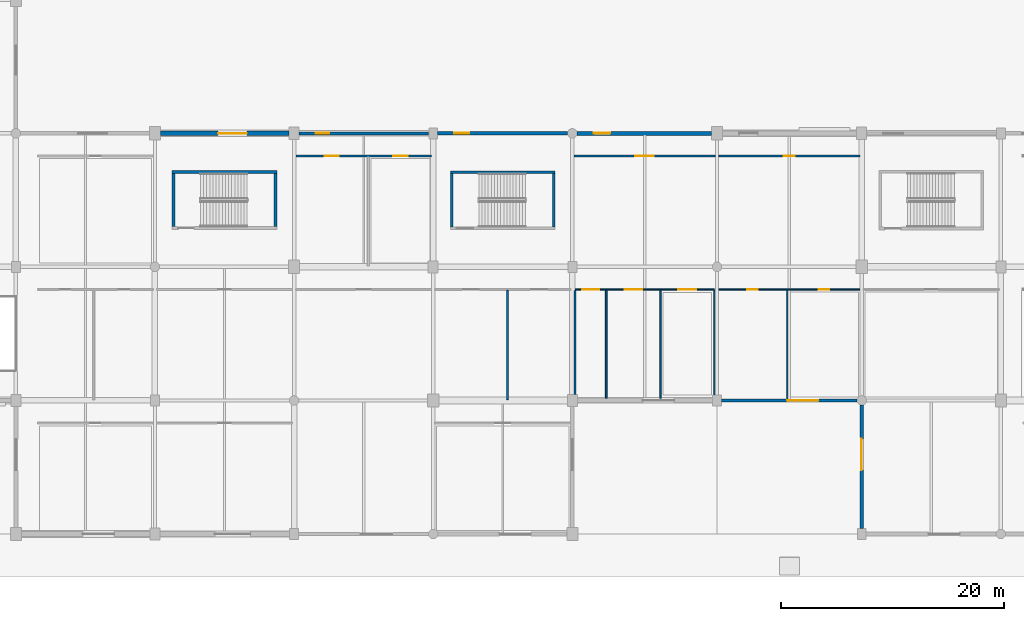
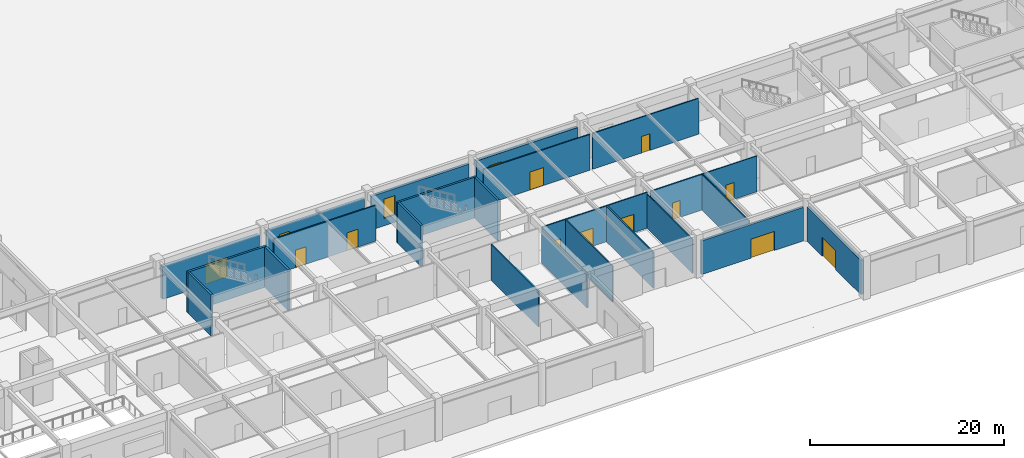
# One storey, part 17 of 69: 23 walls, 12 doors, 3 windows, 15 openings.
"""IFC4 building model written with IfcOpenShell, lengths in metres."""

from ifc_helpers import new_model, si_unit, direction, frame, frame_2d, origin, place, context, subcontext, project, spatial, rectangle, extrude, material, layer, layer_set, type_object, element, fill, save


model = new_model("IFC4")

# Units and contexts
model_context = context("Model", 3, precision=1e-05, world=origin(), true_north=direction((0.0, 1.0)))
body_context = subcontext(model_context, "Body", "Model", "MODEL_VIEW")
ifc_project = project(units=[si_unit("LENGTHUNIT", "METRE"), si_unit("AREAUNIT", "SQUARE_METRE"), si_unit("VOLUMEUNIT", "CUBIC_METRE"), si_unit("PLANEANGLEUNIT", "RADIAN"), si_unit("MASSUNIT", "GRAM", prefix="KILO")], contexts=[model_context])

# Site, building, storey
site_placement = place(None, origin())
site = spatial("IfcSite", under=ifc_project, at=site_placement, CompositionType="ELEMENT")
building_placement = place(site_placement, origin())
building = spatial("IfcBuilding", under=site, at=building_placement, Name="Kazenohara Klinker Stadium", CompositionType="ELEMENT")
storey_placement = place(building_placement, origin())
storey = spatial("IfcBuildingStorey", under=building, at=storey_placement, Name="L00", CompositionType="ELEMENT", Elevation=0.0)

# Walls
ifc_material_1 = material(Name="Concrete C40/50", Category="concrete")
ifc_layer_1 = layer(ifc_material_1, 0.22998046875)
ifc_layer_set_1 = layer_set([ifc_layer_1], Name="Concrete C40/50")
wall_type_1 = type_object("IfcWallType", Name="WAL-CORE-230", PredefinedType="SHEAR", material=ifc_layer_set_1)
wall_1_placement = place(storey_placement, frame((88.070068359375, 32.514892578125, 0.0), z_axis=(0.0, 0.0, 1.0), x_axis=(1.0, 0.0, 0.0)))
element("IfcWall", 1, at=wall_1_placement, inside=storey, type_object=wall_type_1, Name="Stairwell shear wall ST26 L00 North", PredefinedType="SHEAR", context=body_context, shape_type="SweptSolid", body=[
    extrude(rectangle(XDim=9.35986328125, YDim=0.22998046875, at=frame_2d((4.679931640625, 0.0))), origin(), (0.0, 0.0, 1.0), 5.139892578125),
])
for number, where, z_axis, x_axis, name in (
    (2, (88.18505859375, 27.60009765625, 0.0), (0.0, 0.0, 1.0), (0.0, 1.0, 0.0), "Stairwell shear wall ST26 L00 West"),
    (3, (97.31494140625, 27.60009765625, 0.0), (0.0, 0.0, 1.0), (0.0, 1.0, 0.0), "Stairwell shear wall ST26 L00 East"),
):
    element("IfcWall", number, at=place(storey_placement, frame(where, z_axis=z_axis, x_axis=x_axis)), inside=storey, type_object=wall_type_1, Name=name, PredefinedType="SHEAR", context=body_context, shape_type="SweptSolid", body=[
        extrude(rectangle(XDim=4.7998046875, YDim=0.22998046875, at=frame_2d((2.39990234375, 0.0))), origin(), (0.0, 0.0, 1.0), 5.139892578125),
    ])
ifc_layer_2 = layer(ifc_material_1, 0.25)
ifc_layer_set_2 = layer_set([ifc_layer_2], Name="Concrete C40/50")
wall_type_2 = type_object("IfcWallType", Name="WAL-CORE-250", PredefinedType="SHEAR", material=ifc_layer_set_2)
wall_2_placement = place(storey_placement, frame((63.050048828125, 32.514892578125, 0.0), z_axis=(0.0, 0.0, 1.0), x_axis=(1.0, 0.0, 0.0)))
element("IfcWall", 4, at=wall_2_placement, inside=storey, type_object=wall_type_2, Name="Stairwell shear wall ST25 L00 North", PredefinedType="SHEAR", context=body_context, shape_type="SweptSolid", body=[
    extrude(rectangle(XDim=9.39990234375, YDim=0.25, at=frame_2d((4.699951171875, 0.0))), origin(), (0.0, 0.0, 1.0), 5.139892578125),
])
for number, where, z_axis, x_axis, name in (
    (5, (63.175048828125, 27.610107421875, 0.0), (0.0, 0.0, 1.0), (0.0, 1.0, 0.0), "Stairwell shear wall ST25 L00 West"),
    (6, (72.324951171875, 27.610107421875, 0.0), (0.0, 0.0, 1.0), (0.0, 1.0, 0.0), "Stairwell shear wall ST25 L00 East"),
):
    element("IfcWall", number, at=place(storey_placement, frame(where, z_axis=z_axis, x_axis=x_axis)), inside=storey, type_object=wall_type_2, Name=name, PredefinedType="SHEAR", context=body_context, shape_type="SweptSolid", body=[
        extrude(rectangle(XDim=4.77978515625, YDim=0.25, at=frame_2d((2.389892578125, 0.0))), origin(), (0.0, 0.0, 1.0), 5.139892578125),
    ])

# Wall, opening, window
ifc_material_2 = material(Name="Clinker brick masonry", Category="masonry")
ifc_layer_3 = layer(ifc_material_2, 0.280029296875)
ifc_layer_set_3 = layer_set([ifc_layer_3], Name="Clinker brick masonry")
wall_type_3 = type_object("IfcWallType", Name="WAL-EXT-CB280", PredefinedType="SOLIDWALL", material=ifc_layer_set_3)
wall_3_placement = place(storey_placement, frame((74.4541015625, 36.0, 0.0), z_axis=(0.0, 0.0, 1.0), x_axis=(1.0, 0.0, 0.0)))
wall_3 = element("IfcWall", 7, at=wall_3_placement, inside=storey, type_object=wall_type_3, Name="Clinker brick cavity wall EW06 L00 X6-3", PredefinedType="SOLIDWALL", context=body_context, shape_type="SweptSolid", body=[
    extrude(rectangle(XDim=11.641845703125, YDim=0.280029296875, at=frame_2d((5.82080078125, 0.0))), origin(), (0.0, 0.0, 1.0), 4.239990234375),
])
opening_1_placement = place(wall_3_placement, frame((1.5, 0.0, 0.949951171875)))
opening_1 = element("IfcOpeningElement", 8, at=opening_1_placement, cuts=wall_3, Name="Opening W06", PredefinedType="OPENING", context=body_context, shape_type="SweptSolid", body=[
    extrude(rectangle(XDim=1.199951171875, YDim=2.300048828125, at=frame_2d((0.60009765625, 1.14990234375))), frame((0.0, 0.14990234375, 0.0), z_axis=(0.0, -1.0, 0.0), x_axis=(1.0, 0.0, 0.0)), (0.0, 0.0, 1.0), 0.300048828125),
])
ifc_material_3 = material(Name="Dark bronze aluminium frame and triple glazing", Category="aluminium")
window_type_1 = type_object("IfcWindowType", Name="WIN-AS-06", PartitioningType="SINGLE_PANEL", PredefinedType="WINDOW", material=ifc_material_3)
window_1_placement = place(opening_1_placement, origin())
window_1 = element("IfcWindow", 9, at=window_1_placement, inside=storey, type_object=window_type_1, Name="Horizontal-mullion ladder window W06 L00 X6-3", OverallHeight=2.300048828125, OverallWidth=1.199951171875, PartitioningType="SINGLE_PANEL", PredefinedType="WINDOW", context=body_context, shape_type="SweptSolid", body=[
    extrude(rectangle(XDim=1.199951171875, YDim=2.300048828125, at=frame_2d((0.60009765625, 1.14990234375))), frame((0.0, 0.030029296875, 0.0), z_axis=(0.0, -1.0, 0.0), x_axis=(1.0, 0.0, 0.0)), (0.0, 0.0, 1.0), 0.06005859375),
])
fill(opening_1, window_1)

# Wall, opening, door
wall_4_placement = place(storey_placement, frame((112.404052734375, 12.0, 0.0), z_axis=(0.0, 0.0, 1.0), x_axis=(1.0, 0.0, 0.0)))
wall_4 = element("IfcWall", 10, at=wall_4_placement, inside=storey, type_object=wall_type_3, Name="Clinker brick cavity wall EW06 L00 X9-1", PredefinedType="SOLIDWALL", context=body_context, shape_type="SweptSolid", body=[
    extrude(rectangle(XDim=12.1669921875, YDim=0.280029296875, at=frame_2d((6.08349609375, 0.0))), origin(), (0.0, 0.0, 1.0), 4.239990234375),
])
opening_2_placement = place(wall_4_placement, frame((8.7001953125, 0.0, 0.0), z_axis=(0.0, 0.0, 1.0), x_axis=(-1.0, 0.0, 0.0)))
opening_2 = element("IfcOpeningElement", 11, at=opening_2_placement, cuts=wall_4, Name="Opening G25", PredefinedType="OPENING", context=body_context, shape_type="SweptSolid", body=[
    extrude(rectangle(XDim=2.800048828125, YDim=2.39990234375, at=frame_2d((1.39990234375, 1.199951171875))), frame((0.0, 0.14990234375, 0.0), z_axis=(0.0, -1.0, 0.0), x_axis=(1.0, 0.0, 0.0)), (0.0, 0.0, 1.0), 0.300048828125),
])
ifc_material_4 = material(Name="Powder-coated aluminium and laminated safety glass", Category="aluminium")
door_type_1 = type_object("IfcDoorType", Name="DR-GATE-2800x2400", OperationType="NOTDEFINED", PredefinedType="DOOR", material=ifc_material_4)
door_1_placement = place(opening_2_placement, origin())
door_1 = element("IfcDoor", 12, at=door_1_placement, inside=storey, type_object=door_type_1, Name="Pedestrian exit gate G25", OperationType="DOUBLE_DOOR_SINGLE_SWING", OverallHeight=2.39990234375, OverallWidth=2.800048828125, PredefinedType="DOOR", context=body_context, shape_type="SweptSolid", body=[
    extrude(rectangle(XDim=2.800048828125, YDim=2.39990234375, at=frame_2d((1.39990234375, 1.199951171875))), frame((0.0, 0.02490234375, 0.0), z_axis=(0.0, -1.0, 0.0), x_axis=(1.0, 0.0, 0.0)), (0.0, 0.0, 1.0), 0.050048828125),
])
fill(opening_2, door_1)

# Wall, opening, window
ifc_layer_4 = layer(ifc_material_2, 0.31005859375)
ifc_layer_set_4 = layer_set([ifc_layer_4], Name="Clinker brick masonry")
wall_type_4 = type_object("IfcWallType", Name="WAL-EXT-CB310", PredefinedType="SOLIDWALL", material=ifc_layer_set_4)
wall_5_placement = place(storey_placement, frame((86.904052734375, 36.0, 0.0), z_axis=(0.0, 0.0, 1.0), x_axis=(1.0, 0.0, 0.0)))
wall_5 = element("IfcWall", 13, at=wall_5_placement, inside=storey, type_object=wall_type_4, Name="Clinker brick cavity wall EW05 L00 X7-3", PredefinedType="SOLIDWALL", context=body_context, shape_type="SweptSolid", body=[
    extrude(rectangle(XDim=11.6669921875, YDim=0.31005859375, at=frame_2d((5.83349609375, 0.0))), origin(), (0.0, 0.0, 1.0), 4.239990234375),
])
opening_3_placement = place(wall_5_placement, frame((1.5, 0.0, 0.949951171875)))
opening_3 = element("IfcOpeningElement", 14, at=opening_3_placement, cuts=wall_5, Name="Opening W08", PredefinedType="OPENING", context=body_context, shape_type="SweptSolid", body=[
    extrude(rectangle(XDim=1.35009765625, YDim=2.39990234375, at=frame_2d((0.675048828125, 1.199951171875))), frame((0.0, 0.1650390625, 0.0), z_axis=(0.0, -1.0, 0.0), x_axis=(1.0, 0.0, 0.0)), (0.0, 0.0, 1.0), 0.330078125),
])
window_type_2 = type_object("IfcWindowType", Name="WIN-AS-08", PartitioningType="SINGLE_PANEL", PredefinedType="WINDOW", material=ifc_material_3)
window_2_placement = place(opening_3_placement, origin())
window_2 = element("IfcWindow", 15, at=window_2_placement, inside=storey, type_object=window_type_2, Name="Horizontal-mullion ladder window W08 L00 X7-3", OverallHeight=2.39990234375, OverallWidth=1.35009765625, PartitioningType="SINGLE_PANEL", PredefinedType="WINDOW", context=body_context, shape_type="SweptSolid", body=[
    extrude(rectangle(XDim=1.35009765625, YDim=2.39990234375, at=frame_2d((0.675048828125, 1.199951171875))), frame((0.0, 0.030029296875, 0.0), z_axis=(0.0, -1.0, 0.0), x_axis=(1.0, 0.0, 0.0)), (0.0, 0.0, 1.0), 0.06005859375),
])
fill(opening_3, window_2)

# Wall, opening, door
wall_6_placement = place(storey_placement, frame((125.0, 0.50390625, 0.0), z_axis=(0.0, 0.0, 1.0), x_axis=(0.0, 1.0, 0.0)))
wall_6 = element("IfcWall", 16, at=wall_6_placement, inside=storey, type_object=wall_type_4, Name="Clinker brick cavity wall EW05 L00 Y10-0", PredefinedType="SOLIDWALL", context=body_context, shape_type="SweptSolid", body=[
    extrude(rectangle(XDim=11.067138671875, YDim=0.31005859375, at=frame_2d((5.53369140625, 0.0))), origin(), (0.0, 0.0, 1.0), 4.340087890625),
])
opening_4_placement = place(wall_6_placement, frame((5.240234375, 0.0, 0.0)))
opening_4 = element("IfcOpeningElement", 17, at=opening_4_placement, cuts=wall_6, Name="Opening G28", PredefinedType="OPENING", context=body_context, shape_type="SweptSolid", body=[
    extrude(rectangle(XDim=2.800048828125, YDim=2.39990234375, at=frame_2d((1.39990234375, 1.199951171875))), frame((0.0, 0.1650390625, 0.0), z_axis=(0.0, -1.0, 0.0), x_axis=(1.0, 0.0, 0.0)), (0.0, 0.0, 1.0), 0.330078125),
])
door_2_placement = place(opening_4_placement, origin())
door_2 = element("IfcDoor", 18, at=door_2_placement, inside=storey, type_object=door_type_1, Name="Pedestrian exit gate G28", OperationType="DOUBLE_DOOR_SINGLE_SWING", OverallHeight=2.39990234375, OverallWidth=2.800048828125, PredefinedType="DOOR", context=body_context, shape_type="SweptSolid", body=[
    extrude(rectangle(XDim=2.800048828125, YDim=2.39990234375, at=frame_2d((1.39990234375, 1.199951171875))), frame((0.0, 0.02490234375, 0.0), z_axis=(0.0, -1.0, 0.0), x_axis=(1.0, 0.0, 0.0)), (0.0, 0.0, 1.0), 0.050048828125),
])
fill(opening_4, door_2)

# Wall, opening, window
ifc_layer_5 = layer(ifc_material_2, 0.3701171875)
ifc_layer_set_5 = layer_set([ifc_layer_5], Name="Clinker brick masonry")
wall_type_5 = type_object("IfcWallType", Name="WAL-EXT-CB370", PredefinedType="SOLIDWALL", material=ifc_layer_set_5)
wall_7_placement = place(storey_placement, frame((99.428955078125, 36.0, 0.0), z_axis=(0.0, 0.0, 1.0), x_axis=(1.0, 0.0, 0.0)))
wall_7 = element("IfcWall", 19, at=wall_7_placement, inside=storey, type_object=wall_type_5, Name="Clinker brick cavity wall EW03 L00 X8-3", PredefinedType="SOLIDWALL", context=body_context, shape_type="SweptSolid", body=[
    extrude(rectangle(XDim=12.067138671875, YDim=0.3701171875, at=frame_2d((6.03369140625, 0.0))), origin(), (0.0, 0.0, 1.0), 4.340087890625),
])
opening_5_placement = place(wall_7_placement, frame((1.5, 0.0, 0.949951171875)))
opening_5 = element("IfcOpeningElement", 20, at=opening_5_placement, cuts=wall_7, Name="Opening W10", PredefinedType="OPENING", context=body_context, shape_type="SweptSolid", body=[
    extrude(rectangle(XDim=1.5, YDim=2.25, at=frame_2d((0.75, 1.125))), frame((0.0, 0.195068359375, 0.0), z_axis=(0.0, -1.0, 0.0), x_axis=(1.0, 0.0, 0.0)), (0.0, 0.0, 1.0), 0.39013671875),
])
window_type_3 = type_object("IfcWindowType", Name="WIN-AS-10", PartitioningType="SINGLE_PANEL", PredefinedType="WINDOW", material=ifc_material_3)
window_3_placement = place(opening_5_placement, origin())
window_3 = element("IfcWindow", 21, at=window_3_placement, inside=storey, type_object=window_type_3, Name="Horizontal-mullion ladder window W10 L00 X8-3", OverallHeight=2.25, OverallWidth=1.5, PartitioningType="SINGLE_PANEL", PredefinedType="WINDOW", context=body_context, shape_type="SweptSolid", body=[
    extrude(rectangle(XDim=1.5, YDim=2.25, at=frame_2d((0.75, 1.125))), frame((0.0, 0.030029296875, 0.0), z_axis=(0.0, -1.0, 0.0), x_axis=(1.0, 0.0, 0.0)), (0.0, 0.0, 1.0), 0.06005859375),
])
fill(opening_5, window_3)

# Wall, opening, door
ifc_layer_6 = layer(ifc_material_2, 0.409912109375)
ifc_layer_set_6 = layer_set([ifc_layer_6], Name="Clinker brick masonry")
wall_type_6 = type_object("IfcWallType", Name="WAL-EXT-CB410", PredefinedType="SOLIDWALL", material=ifc_layer_set_6)
wall_8_placement = place(storey_placement, frame((62.00390625, 36.0, 0.0), z_axis=(0.0, 0.0, 1.0), x_axis=(1.0, 0.0, 0.0)))
wall_8 = element("IfcWall", 22, at=wall_8_placement, inside=storey, type_object=wall_type_6, Name="Clinker brick cavity wall EW02 L00 X5-3", PredefinedType="SOLIDWALL", context=body_context, shape_type="SweptSolid", body=[
    extrude(rectangle(XDim=11.5419921875, YDim=0.409912109375, at=frame_2d((5.77099609375, 0.0))), origin(), (0.0, 0.0, 1.0), 4.090087890625),
])
opening_6_placement = place(wall_8_placement, frame((5.16357421875, 0.0, 0.0)))
opening_6 = element("IfcOpeningElement", 23, at=opening_6_placement, cuts=wall_8, Name="Opening VP11", PredefinedType="OPENING", context=body_context, shape_type="SweptSolid", body=[
    extrude(rectangle(XDim=2.60009765625, YDim=2.5, at=frame_2d((1.300048828125, 1.25))), frame((0.0, 0.21484375, 0.0), z_axis=(0.0, -1.0, 0.0), x_axis=(1.0, 0.0, 0.0)), (0.0, 0.0, 1.0), 0.429931640625),
])
ifc_material_5 = material(Name="Anodised aluminium acoustic portal leaf", Category="aluminium")
door_type_2 = type_object("IfcDoorType", Name="DR-VOM-2600x2500", OperationType="NOTDEFINED", PredefinedType="DOOR", material=ifc_material_5)
door_3_placement = place(opening_6_placement, origin())
door_3 = element("IfcDoor", 24, at=door_3_placement, inside=storey, type_object=door_type_2, Name="Lower bowl vomitory portal door VP11", OperationType="DOUBLE_DOOR_SINGLE_SWING", OverallHeight=2.5, OverallWidth=2.60009765625, PredefinedType="DOOR", context=body_context, shape_type="SweptSolid", body=[
    extrude(rectangle(XDim=2.60009765625, YDim=2.5, at=frame_2d((1.300048828125, 1.25))), frame((0.0, 0.02490234375, 0.0), z_axis=(0.0, -1.0, 0.0), x_axis=(1.0, 0.0, 0.0)), (0.0, 0.0, 1.0), 0.050048828125),
])
fill(opening_6, door_3)

# Wall
ifc_material_6 = material(Name="Fire-rated gypsum board on acoustic studs", Category="gypsum")
ifc_layer_7 = layer(ifc_material_6, 0.110107421875)
ifc_layer_set_7 = layer_set([ifc_layer_7], Name="Fire-rated gypsum board on acoustic studs")
wall_type_7 = type_object("IfcWallType", Name="WAL-INT-P110", PredefinedType="PARTITIONING", material=ifc_layer_set_7)
wall_9_placement = place(storey_placement, frame((111.760009765625, 12.50390625, 0.0), z_axis=(0.0, 0.0, 1.0), x_axis=(0.0, 1.0, 0.0)))
element("IfcWall", 25, at=wall_9_placement, inside=storey, type_object=wall_type_7, Name="Interior partition wall PT01 SPC-L00-08-01-1-2", PredefinedType="PARTITIONING", context=body_context, shape_type="SweptSolid", body=[
    extrude(rectangle(XDim=9.39111328125, YDim=0.110107421875, at=frame_2d((4.695556640625, 0.0))), origin(), (0.0, 0.0, 1.0), 4.300048828125),
])

# Wall, openings, doors
wall_10_placement = place(storey_placement, frame((112.159912109375, 21.9599609375, 0.0), z_axis=(0.0, 0.0, 1.0), x_axis=(1.0, 0.0, 0.0)))
wall_10 = element("IfcWall", 26, at=wall_10_placement, inside=storey, type_object=wall_type_7, Name="Interior partition wall PT01 SPC-L00-09-01-1-1", PredefinedType="PARTITIONING", context=body_context, shape_type="SweptSolid", body=[
    extrude(rectangle(XDim=12.68017578125, YDim=0.110107421875, at=frame_2d((6.340087890625, 0.0))), origin(), (0.0, 0.0, 1.0), 4.52001953125),
])
opening_7_placement = place(wall_10_placement, frame((3.494873046875, 0.0, 0.0), z_axis=(0.0, 0.0, 1.0), x_axis=(-1.0, 0.0, 0.0)))
opening_7 = element("IfcOpeningElement", 27, at=opening_7_placement, cuts=wall_10, Name="Opening ID02", PredefinedType="OPENING", context=body_context, shape_type="SweptSolid", body=[
    extrude(rectangle(XDim=0.919921875, YDim=2.10009765625, at=frame_2d((0.4599609375, 1.050048828125))), frame((0.0, 0.06494140625, 0.0), z_axis=(0.0, -1.0, 0.0), x_axis=(1.0, 0.0, 0.0)), (0.0, 0.0, 1.0), 0.130126953125),
])
opening_8_placement = place(wall_10_placement, frame((9.929931640625, 0.0, 0.0), z_axis=(0.0, 0.0, 1.0), x_axis=(-1.0, 0.0, 0.0)))
opening_8 = element("IfcOpeningElement", 28, at=opening_8_placement, cuts=wall_10, Name="Opening ID03", PredefinedType="OPENING", context=body_context, shape_type="SweptSolid", body=[
    extrude(rectangle(XDim=0.949951171875, YDim=2.1201171875, at=frame_2d((0.47509765625, 1.06005859375))), frame((0.0, 0.06494140625, 0.0), z_axis=(0.0, -1.0, 0.0), x_axis=(1.0, 0.0, 0.0)), (0.0, 0.0, 1.0), 0.130126953125),
])
ifc_material_7 = material(Name="Solid-core Hokkaido oak fire door", Category="wood")
door_type_3 = type_object("IfcDoorType", Name="DR-INT-02", OperationType="NOTDEFINED", PredefinedType="DOOR", material=ifc_material_7)
door_4_placement = place(opening_7_placement, origin())
door_4 = element("IfcDoor", 29, at=door_4_placement, inside=storey, type_object=door_type_3, Name="Interior door ID02 Civic Stadium Heritage Museum Exhibition Gallery L00-0901A", OperationType="SINGLE_SWING_LEFT", OverallHeight=2.10009765625, OverallWidth=0.919921875, PredefinedType="DOOR", context=body_context, shape_type="SweptSolid", body=[
    extrude(rectangle(XDim=0.919921875, YDim=2.10009765625, at=frame_2d((0.4599609375, 1.050048828125))), frame((0.0, 0.02490234375, 0.0), z_axis=(0.0, -1.0, 0.0), x_axis=(1.0, 0.0, 0.0)), (0.0, 0.0, 1.0), 0.050048828125),
])
fill(opening_7, door_4)
door_type_4 = type_object("IfcDoorType", Name="DR-INT-03", OperationType="NOTDEFINED", PredefinedType="DOOR", material=ifc_material_7)
door_5_placement = place(opening_8_placement, origin())
door_5 = element("IfcDoor", 30, at=door_5_placement, inside=storey, type_object=door_type_4, Name="Interior door ID03 Street-Front Bakery and Cafe Restaurant L00-0901B", OperationType="SINGLE_SWING_RIGHT", OverallHeight=2.1201171875, OverallWidth=0.949951171875, PredefinedType="DOOR", context=body_context, shape_type="SweptSolid", body=[
    extrude(rectangle(XDim=0.949951171875, YDim=2.1201171875, at=frame_2d((0.47509765625, 1.06005859375))), frame((0.0, 0.02490234375, 0.0), z_axis=(0.0, -1.0, 0.0), x_axis=(1.0, 0.0, 0.0)), (0.0, 0.0, 1.0), 0.050048828125),
])
fill(opening_8, door_5)

ifc_layer_8 = layer(ifc_material_6, 0.1201171875)
ifc_layer_set_8 = layer_set([ifc_layer_8], Name="Fire-rated gypsum board on acoustic studs")
wall_type_8 = type_object("IfcWallType", Name="WAL-INT-P120", PredefinedType="PARTITIONING", material=ifc_layer_set_8)
wall_11_placement = place(storey_placement, frame((99.239990234375, 21.9599609375, 0.0), z_axis=(0.0, 0.0, 1.0), x_axis=(1.0, 0.0, 0.0)))
wall_11 = element("IfcWall", 31, at=wall_11_placement, inside=storey, type_object=wall_type_8, Name="Interior partition wall PT02 SPC-L00-08-01-1-3", PredefinedType="PARTITIONING", context=body_context, shape_type="SweptSolid", body=[
    extrude(rectangle(XDim=12.52001953125, YDim=0.1201171875, at=frame_2d((6.260009765625, 0.0))), origin(), (0.0, 0.0, 1.0), 4.52001953125),
])
opening_9_placement = place(wall_11_placement, frame((2.17529296875, 0.0, 0.0), z_axis=(0.0, 0.0, 1.0), x_axis=(-1.0, 0.0, 0.0)))
opening_9 = element("IfcOpeningElement", 32, at=opening_9_placement, cuts=wall_11, Name="Opening ID21", PredefinedType="OPENING", context=body_context, shape_type="SweptSolid", body=[
    extrude(rectangle(XDim=1.52001953125, YDim=2.280029296875, at=frame_2d((0.760009765625, 1.14013671875))), frame((0.0, 0.070068359375, 0.0), z_axis=(0.0, -1.0, 0.0), x_axis=(1.0, 0.0, 0.0)), (0.0, 0.0, 1.0), 0.14013671875),
])
opening_10_placement = place(wall_11_placement, frame((6.032958984375, 0.0, 0.0), z_axis=(0.0, 0.0, 1.0), x_axis=(-1.0, 0.0, 0.0)))
opening_10 = element("IfcOpeningElement", 33, at=opening_10_placement, cuts=wall_11, Name="Opening ID22", PredefinedType="OPENING", context=body_context, shape_type="SweptSolid", body=[
    extrude(rectangle(XDim=1.56005859375, YDim=2.260009765625, at=frame_2d((0.780029296875, 1.1298828125))), frame((0.0, 0.070068359375, 0.0), z_axis=(0.0, -1.0, 0.0), x_axis=(1.0, 0.0, 0.0)), (0.0, 0.0, 1.0), 0.14013671875),
])
opening_11_placement = place(wall_11_placement, frame((10.897705078125, 0.0, 0.0), z_axis=(0.0, 0.0, 1.0), x_axis=(-1.0, 0.0, 0.0)))
opening_11 = element("IfcOpeningElement", 34, at=opening_11_placement, cuts=wall_11, Name="Opening ID23", PredefinedType="OPENING", context=body_context, shape_type="SweptSolid", body=[
    extrude(rectangle(XDim=1.60009765625, YDim=2.300048828125, at=frame_2d((0.800048828125, 1.14990234375))), frame((0.0, 0.070068359375, 0.0), z_axis=(0.0, -1.0, 0.0), x_axis=(1.0, 0.0, 0.0)), (0.0, 0.0, 1.0), 0.14013671875),
])
ifc_material_8 = material(Name="Painted steel plant fire door", Category="steel")
door_type_5 = type_object("IfcDoorType", Name="DR-INT-21", OperationType="NOTDEFINED", PredefinedType="DOOR", material=ifc_material_8)
door_6_placement = place(opening_9_placement, origin())
door_6 = element("IfcDoor", 35, at=door_6_placement, inside=storey, type_object=door_type_5, Name="Interior door ID21 Accessible Water Closet Restroom L00-0801A", OperationType="SINGLE_SWING_RIGHT", OverallHeight=2.280029296875, OverallWidth=1.52001953125, PredefinedType="DOOR", context=body_context, shape_type="SweptSolid", body=[
    extrude(rectangle(XDim=1.52001953125, YDim=2.280029296875, at=frame_2d((0.760009765625, 1.14013671875))), frame((0.0, 0.02490234375, 0.0), z_axis=(0.0, -1.0, 0.0), x_axis=(1.0, 0.0, 0.0)), (0.0, 0.0, 1.0), 0.050048828125),
])
fill(opening_9, door_6)
door_type_6 = type_object("IfcDoorType", Name="DR-INT-22", OperationType="NOTDEFINED", PredefinedType="DOOR", material=ifc_material_8)
door_7_placement = place(opening_10_placement, origin())
door_7 = element("IfcDoor", 36, at=door_7_placement, inside=storey, type_object=door_type_6, Name="Interior door ID22 Water Closet Restroom Male L00-0801B", OperationType="SINGLE_SWING_LEFT", OverallHeight=2.260009765625, OverallWidth=1.56005859375, PredefinedType="DOOR", context=body_context, shape_type="SweptSolid", body=[
    extrude(rectangle(XDim=1.56005859375, YDim=2.260009765625, at=frame_2d((0.780029296875, 1.1298828125))), frame((0.0, 0.02490234375, 0.0), z_axis=(0.0, -1.0, 0.0), x_axis=(1.0, 0.0, 0.0)), (0.0, 0.0, 1.0), 0.050048828125),
])
fill(opening_10, door_7)
door_type_7 = type_object("IfcDoorType", Name="DR-INT-23", OperationType="NOTDEFINED", PredefinedType="DOOR", material=ifc_material_8)
door_8_placement = place(opening_11_placement, origin())
door_8 = element("IfcDoor", 37, at=door_8_placement, inside=storey, type_object=door_type_7, Name="Interior door ID23 Water Closet Restroom Female L00-0801C", OperationType="SINGLE_SWING_RIGHT", OverallHeight=2.300048828125, OverallWidth=1.60009765625, PredefinedType="DOOR", context=body_context, shape_type="SweptSolid", body=[
    extrude(rectangle(XDim=1.60009765625, YDim=2.300048828125, at=frame_2d((0.800048828125, 1.14990234375))), frame((0.0, 0.02490234375, 0.0), z_axis=(0.0, -1.0, 0.0), x_axis=(1.0, 0.0, 0.0)), (0.0, 0.0, 1.0), 0.050048828125),
])
fill(opening_11, door_8)

# Walls
wall_12_placement = place(storey_placement, frame((118.309814453125, 12.14208984375, 0.0), z_axis=(0.0, 0.0, 1.0), x_axis=(0.0, 1.0, 0.0)))
element("IfcWall", 38, at=wall_12_placement, inside=storey, type_object=wall_type_8, Name="Interior partition wall PT02 SPC-L00-09-01-1-2", PredefinedType="PARTITIONING", context=body_context, shape_type="SweptSolid", body=[
    extrude(rectangle(XDim=9.7578125, YDim=0.1201171875, at=frame_2d((4.87890625, 0.0))), origin(), (0.0, 0.0, 1.0), 4.52001953125),
])
ifc_layer_9 = layer(ifc_material_6, 0.139892578125)
ifc_layer_set_9 = layer_set([ifc_layer_9], Name="Fire-rated gypsum board on acoustic studs")
wall_type_9 = type_object("IfcWallType", Name="WAL-INT-P140", PredefinedType="PARTITIONING", material=ifc_layer_set_9)
wall_13_placement = place(storey_placement, frame((102.05029296875, 12.20703125, 0.0), z_axis=(0.0, 0.0, 1.0), x_axis=(0.0, 1.0, 0.0)))
element("IfcWall", 39, at=wall_13_placement, inside=storey, type_object=wall_type_9, Name="Interior partition wall PT03 SPC-L00-08-01-1-4", PredefinedType="PARTITIONING", context=body_context, shape_type="SweptSolid", body=[
    extrude(rectangle(XDim=9.68798828125, YDim=0.139892578125, at=frame_2d((4.843994140625, 0.0))), origin(), (0.0, 0.0, 1.0), 4.52001953125),
])

# Wall, opening, door
wall_14_placement = place(storey_placement, frame((99.159912109375, 33.9599609375, 0.0), z_axis=(0.0, 0.0, 1.0), x_axis=(1.0, 0.0, 0.0)))
wall_14 = element("IfcWall", 40, at=wall_14_placement, inside=storey, type_object=wall_type_9, Name="Interior partition wall PT03 SPC-L00-08-02-1-1", PredefinedType="PARTITIONING", context=body_context, shape_type="SweptSolid", body=[
    extrude(rectangle(XDim=12.68017578125, YDim=0.139892578125, at=frame_2d((6.340087890625, 0.0))), origin(), (0.0, 0.0, 1.0), 4.52001953125),
])
opening_12_placement = place(wall_14_placement, frame((7.164794921875, 0.0, 0.0), z_axis=(0.0, 0.0, 1.0), x_axis=(-1.0, 0.0, 0.0)))
opening_12 = element("IfcOpeningElement", 41, at=opening_12_placement, cuts=wall_14, Name="Opening ID24", PredefinedType="OPENING", context=body_context, shape_type="SweptSolid", body=[
    extrude(rectangle(XDim=1.64990234375, YDim=2.280029296875, at=frame_2d((0.824951171875, 1.14013671875))), frame((0.0, 0.080078125, 0.0), z_axis=(0.0, -1.0, 0.0), x_axis=(1.0, 0.0, 0.0)), (0.0, 0.0, 1.0), 0.159912109375),
])
door_type_8 = type_object("IfcDoorType", Name="DR-INT-24", OperationType="NOTDEFINED", PredefinedType="DOOR", material=ifc_material_8)
door_9_placement = place(opening_12_placement, origin())
door_9 = element("IfcDoor", 42, at=door_9_placement, inside=storey, type_object=door_type_8, Name="Interior door ID24 Civic Stadium Heritage Museum Exhibition Gallery L00-0802A", OperationType="SINGLE_SWING_LEFT", OverallHeight=2.280029296875, OverallWidth=1.64990234375, PredefinedType="DOOR", context=body_context, shape_type="SweptSolid", body=[
    extrude(rectangle(XDim=1.64990234375, YDim=2.280029296875, at=frame_2d((0.824951171875, 1.14013671875))), frame((0.0, 0.02490234375, 0.0), z_axis=(0.0, -1.0, 0.0), x_axis=(1.0, 0.0, 0.0)), (0.0, 0.0, 1.0), 0.050048828125),
])
fill(opening_12, door_9)

wall_15_placement = place(storey_placement, frame((112.159912109375, 33.9599609375, 0.0), z_axis=(0.0, 0.0, 1.0), x_axis=(1.0, 0.0, 0.0)))
wall_15 = element("IfcWall", 43, at=wall_15_placement, inside=storey, type_object=wall_type_9, Name="Interior partition wall PT03 SPC-L00-09-02-1-1", PredefinedType="PARTITIONING", context=body_context, shape_type="SweptSolid", body=[
    extrude(rectangle(XDim=12.68017578125, YDim=0.139892578125, at=frame_2d((6.340087890625, 0.0))), origin(), (0.0, 0.0, 1.0), 4.52001953125),
])
opening_13_placement = place(wall_15_placement, frame((6.830078125, 0.0, 0.0), z_axis=(0.0, 0.0, 1.0), x_axis=(-1.0, 0.0, 0.0)))
opening_13 = element("IfcOpeningElement", 44, at=opening_13_placement, cuts=wall_15, Name="Opening ID04", PredefinedType="OPENING", context=body_context, shape_type="SweptSolid", body=[
    extrude(rectangle(XDim=0.97998046875, YDim=2.10009765625, at=frame_2d((0.489990234375, 1.050048828125))), frame((0.0, 0.080078125, 0.0), z_axis=(0.0, -1.0, 0.0), x_axis=(1.0, 0.0, 0.0)), (0.0, 0.0, 1.0), 0.159912109375),
])
door_type_9 = type_object("IfcDoorType", Name="DR-INT-04", OperationType="NOTDEFINED", PredefinedType="DOOR", material=ifc_material_7)
door_10_placement = place(opening_13_placement, origin())
door_10 = element("IfcDoor", 45, at=door_10_placement, inside=storey, type_object=door_type_9, Name="Interior door ID04 Supporter Merchandising Retail Shop L00-0902A", OperationType="SINGLE_SWING_LEFT", OverallHeight=2.10009765625, OverallWidth=0.97998046875, PredefinedType="DOOR", context=body_context, shape_type="SweptSolid", body=[
    extrude(rectangle(XDim=0.97998046875, YDim=2.10009765625, at=frame_2d((0.489990234375, 1.050048828125))), frame((0.0, 0.02490234375, 0.0), z_axis=(0.0, -1.0, 0.0), x_axis=(1.0, 0.0, 0.0)), (0.0, 0.0, 1.0), 0.050048828125),
])
fill(opening_13, door_10)

# Wall, openings, doors
ifc_layer_10 = layer(ifc_material_6, 0.14990234375)
ifc_layer_set_10 = layer_set([ifc_layer_10], Name="Fire-rated gypsum board on acoustic studs")
wall_type_10 = type_object("IfcWallType", Name="WAL-INT-P150", PredefinedType="PARTITIONING", material=ifc_layer_set_10)
wall_16_placement = place(storey_placement, frame((74.159912109375, 33.9599609375, 0.0), z_axis=(0.0, 0.0, 1.0), x_axis=(1.0, 0.0, 0.0)))
wall_16 = element("IfcWall", 46, at=wall_16_placement, inside=storey, type_object=wall_type_10, Name="Interior partition wall PT04 SPC-L00-06-02-1-1", PredefinedType="PARTITIONING", context=body_context, shape_type="SweptSolid", body=[
    extrude(rectangle(XDim=12.18017578125, YDim=0.14990234375, at=frame_2d((6.090087890625, 0.0))), origin(), (0.0, 0.0, 1.0), 4.52001953125),
])
opening_14_placement = place(wall_16_placement, frame((3.853271484375, 0.0, 0.0), z_axis=(0.0, 0.0, 1.0), x_axis=(-1.0, 0.0, 0.0)))
opening_14 = element("IfcOpeningElement", 47, at=opening_14_placement, cuts=wall_16, Name="Opening ID14", PredefinedType="OPENING", context=body_context, shape_type="SweptSolid", body=[
    extrude(rectangle(XDim=1.27001953125, YDim=2.199951171875, at=frame_2d((0.635009765625, 1.10009765625))), frame((0.0, 0.0849609375, 0.0), z_axis=(0.0, -1.0, 0.0), x_axis=(1.0, 0.0, 0.0)), (0.0, 0.0, 1.0), 0.169921875),
])
opening_15_placement = place(wall_16_placement, frame((10.0380859375, 0.0, 0.0), z_axis=(0.0, 0.0, 1.0), x_axis=(-1.0, 0.0, 0.0)))
opening_15 = element("IfcOpeningElement", 48, at=opening_15_placement, cuts=wall_16, Name="Opening ID15", PredefinedType="OPENING", context=body_context, shape_type="SweptSolid", body=[
    extrude(rectangle(XDim=1.300048828125, YDim=2.239990234375, at=frame_2d((0.64990234375, 1.1201171875))), frame((0.0, 0.0849609375, 0.0), z_axis=(0.0, -1.0, 0.0), x_axis=(1.0, 0.0, 0.0)), (0.0, 0.0, 1.0), 0.169921875),
])
door_type_10 = type_object("IfcDoorType", Name="DR-INT-14", OperationType="NOTDEFINED", PredefinedType="DOOR", material=ifc_material_7)
door_11_placement = place(opening_14_placement, origin())
door_11 = element("IfcDoor", 49, at=door_11_placement, inside=storey, type_object=door_type_10, Name="Interior door ID14 Spectator First-Aid Medical Clinic L00-0602A", OperationType="SINGLE_SWING_LEFT", OverallHeight=2.199951171875, OverallWidth=1.27001953125, PredefinedType="DOOR", context=body_context, shape_type="SweptSolid", body=[
    extrude(rectangle(XDim=1.27001953125, YDim=2.199951171875, at=frame_2d((0.635009765625, 1.10009765625))), frame((0.0, 0.02490234375, 0.0), z_axis=(0.0, -1.0, 0.0), x_axis=(1.0, 0.0, 0.0)), (0.0, 0.0, 1.0), 0.050048828125),
])
fill(opening_14, door_11)
door_type_11 = type_object("IfcDoorType", Name="DR-INT-15", OperationType="NOTDEFINED", PredefinedType="DOOR", material=ifc_material_7)
door_12_placement = place(opening_15_placement, origin())
door_12 = element("IfcDoor", 50, at=door_12_placement, inside=storey, type_object=door_type_11, Name="Interior door ID15 Winter-Garden Retail Galleria Boutique L00-0602B", OperationType="SINGLE_SWING_RIGHT", OverallHeight=2.239990234375, OverallWidth=1.300048828125, PredefinedType="DOOR", context=body_context, shape_type="SweptSolid", body=[
    extrude(rectangle(XDim=1.300048828125, YDim=2.239990234375, at=frame_2d((0.64990234375, 1.1201171875))), frame((0.0, 0.02490234375, 0.0), z_axis=(0.0, -1.0, 0.0), x_axis=(1.0, 0.0, 0.0)), (0.0, 0.0, 1.0), 0.050048828125),
])
fill(opening_15, door_12)

# Walls
wall_17_placement = place(storey_placement, frame((93.17626953125, 12.080078125, 0.0), z_axis=(0.0, 0.0, 1.0), x_axis=(0.0, 1.0, 0.0)))
element("IfcWall", 51, at=wall_17_placement, inside=storey, type_object=wall_type_10, Name="Interior partition wall PT04 SPC-L00-07-01-1-2", PredefinedType="PARTITIONING", context=body_context, shape_type="SweptSolid", body=[
    extrude(rectangle(XDim=9.804931640625, YDim=0.14990234375, at=frame_2d((4.90234375, 0.0))), origin(), (0.0, 0.0, 1.0), 4.52001953125),
])
wall_18_placement = place(storey_placement, frame((106.935302734375, 12.20703125, 0.0), z_axis=(0.0, 0.0, 1.0), x_axis=(0.0, 1.0, 0.0)))
element("IfcWall", 52, at=wall_18_placement, inside=storey, type_object=wall_type_10, Name="Interior partition wall PT04 SPC-L00-08-01-1-5", PredefinedType="PARTITIONING", context=body_context, shape_type="SweptSolid", body=[
    extrude(rectangle(XDim=9.68798828125, YDim=0.14990234375, at=frame_2d((4.843994140625, 0.0))), origin(), (0.0, 0.0, 1.0), 4.52001953125),
])
ifc_layer_11 = layer(ifc_material_6, 0.18994140625)
ifc_layer_set_11 = layer_set([ifc_layer_11], Name="Fire-rated gypsum board on acoustic studs")
wall_type_11 = type_object("IfcWallType", Name="WAL-INT-P190", PredefinedType="PARTITIONING", material=ifc_layer_set_11)
wall_19_placement = place(storey_placement, frame((99.239990234375, 12.553955078125, 0.0), z_axis=(0.0, 0.0, 1.0), x_axis=(0.0, 1.0, 0.0)))
element("IfcWall", 53, at=wall_19_placement, inside=storey, type_object=wall_type_11, Name="Interior partition wall PT06 SPC-L00-08-01-1-1", PredefinedType="PARTITIONING", context=body_context, shape_type="SweptSolid", body=[
    extrude(rectangle(XDim=9.341064453125, YDim=0.18994140625, at=frame_2d((4.67041015625, 0.0))), origin(), (0.0, 0.0, 1.0), 4.199951171875),
])

save(model, "model.ifc")
